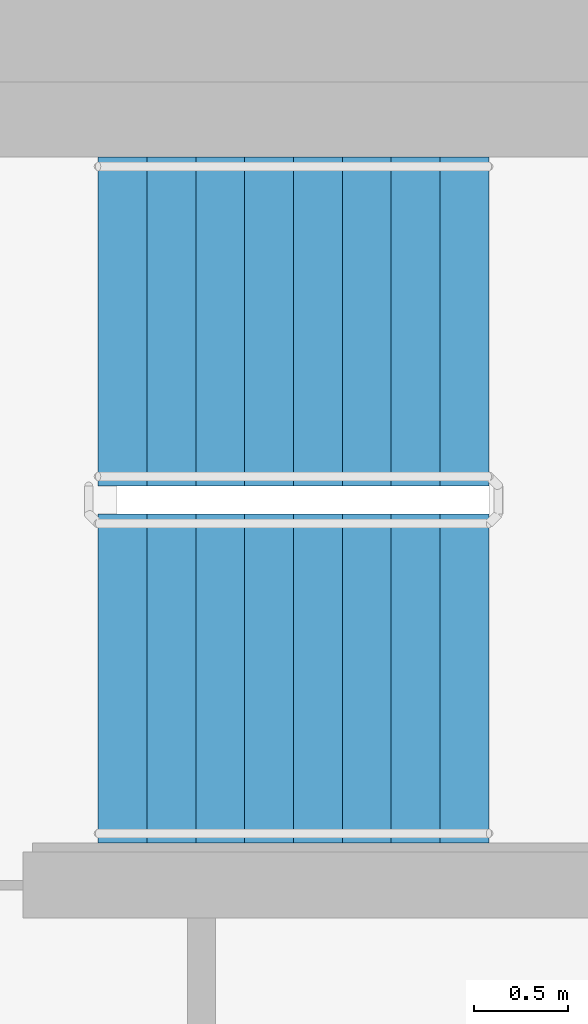
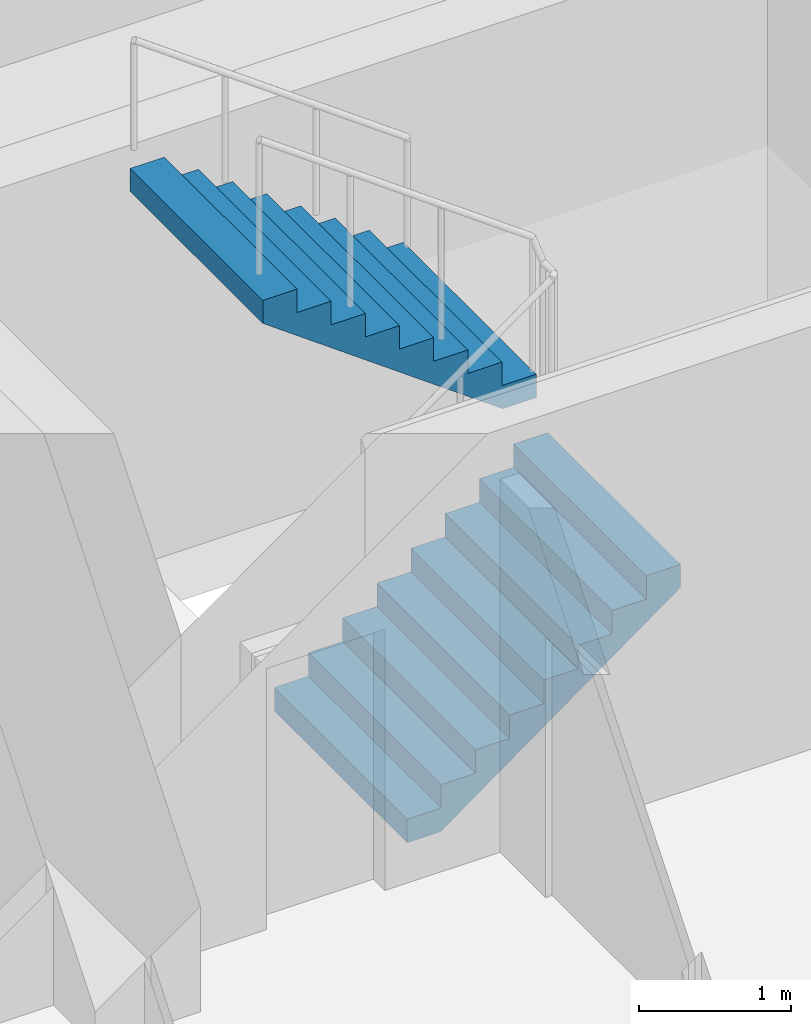
# One storey, part 14 of 19: 2 stair flights, 1 element without a shape of its own.
"""IFC4 building model written with IfcOpenShell, lengths in metres."""

from ifc_helpers import new_model, si_unit, direction, frame, origin, place, context, subcontext, project, spatial, faceted_brep, material, type_object, element, aggregate, save


model = new_model("IFC4")

# Units and contexts
model_context = context("Model", 3, precision=1e-05, world=origin(), true_north=direction((0.0, 1.0)))
body_context = subcontext(model_context, "Body", "Model", "MODEL_VIEW")
ifc_project = project(units=[si_unit("LENGTHUNIT", "METRE"), si_unit("AREAUNIT", "SQUARE_METRE"), si_unit("VOLUMEUNIT", "CUBIC_METRE"), si_unit("PLANEANGLEUNIT", "RADIAN"), si_unit("MASSUNIT", "GRAM", prefix="KILO")], contexts=[model_context])

# Site, building, storey
site_placement = place(None, origin())
site = spatial("IfcSite", under=ifc_project, at=site_placement, CompositionType="ELEMENT")
building_placement = place(site_placement, origin())
building = spatial("IfcBuilding", under=site, at=building_placement, Name="Ipe Terrace Towers", CompositionType="ELEMENT")
storey_placement = place(building_placement, frame((0.0, 0.0, 157.5)))
storey = spatial("IfcBuildingStorey", under=building, at=storey_placement, Name="L43", CompositionType="ELEMENT", Elevation=157.5)

# Stair, stair flights
ifc_material_1 = material(Name="Concrete C30/37", Category="concrete")
stair_type = type_object("IfcStairType", Name="Protected exit stair", PredefinedType="HALF_TURN_STAIR", material=ifc_material_1)
stair_placement = place(storey_placement, origin())
stair = element("IfcStair", 1, at=stair_placement, inside=storey, type_object=stair_type, Name="L43 Exit stair T1-C1", PredefinedType="HALF_TURN_STAIR")
ifc_material_2 = material(Name="Concrete C30/37", Category="concrete")
stair_flight_type = type_object("IfcStairFlightType", Name="Exit stair flight 1750", PredefinedType="STRAIGHT", material=ifc_material_2)
stair_flight_1_placement = place(storey_placement, frame((-26.300048828125, 2.77490234375, 0.0), z_axis=(0.0, 0.0, 1.0), x_axis=(1.0, 0.0, 0.0)))
stair_flight_1 = element("IfcStairFlight", 2, at=stair_flight_1_placement, type_object=stair_flight_type, Name="T1-ST1 flight 1", NumberOfRisers=9, NumberOfTreads=8, PredefinedType="STRAIGHT", RiserHeight=0.188888889, TreadLength=0.26, context=body_context, shape_type="Brep", body=[
    faceted_brep([(0.255126953125, -0.875, 0.0), (2.080078125, -0.875, 1.325927734375), (2.080078125, -0.875, 1.51123046875), (1.820068359375, -0.875, 1.51123046875), (1.820068359375, -0.875, 1.322265625), (1.56005859375, -0.875, 1.322265625), (1.56005859375, -0.875, 1.13330078125), (1.300048828125, -0.875, 1.13330078125), (1.300048828125, -0.875, 0.9443359375), (1.0400390625, -0.875, 0.9443359375), (1.0400390625, -0.875, 0.755615234375), (0.780029296875, -0.875, 0.755615234375), (0.780029296875, -0.875, 0.566650390625), (0.52001953125, -0.875, 0.566650390625), (0.52001953125, -0.875, 0.377685546875), (0.260009765625, -0.875, 0.377685546875), (0.260009765625, -0.875, 0.18896484375), (0.0, -0.875, 0.18896484375), (0.0, -0.875, 0.0), (0.0, 0.875, 0.0), (0.0, 0.875, 0.18896484375), (0.260009765625, 0.875, 0.18896484375), (0.260009765625, 0.875, 0.377685546875), (0.52001953125, 0.875, 0.377685546875), (0.52001953125, 0.875, 0.566650390625), (0.780029296875, 0.875, 0.566650390625), (0.780029296875, 0.875, 0.755615234375), (1.0400390625, 0.875, 0.755615234375), (1.0400390625, 0.875, 0.9443359375), (1.300048828125, 0.875, 0.9443359375), (1.300048828125, 0.875, 1.13330078125), (1.56005859375, 0.875, 1.13330078125), (1.56005859375, 0.875, 1.322265625), (1.820068359375, 0.875, 1.322265625), (1.820068359375, 0.875, 1.51123046875), (2.080078125, 0.875, 1.51123046875), (2.080078125, 0.875, 1.325927734375), (0.255126953125, 0.875, 0.0), (0.0, -0.300048828125, 0.18896484375), (0.0, -0.1201171875, 0.18896484375), (0.0, -0.06005859375, 0.18896484375), (0.0, -0.030029296875, 0.18896484375), (0.0, -0.010009765625, 0.18896484375), (0.0, 0.0, 0.18896484375), (0.0, 0.010009765625, 0.18896484375), (0.0, 0.030029296875, 0.18896484375), (0.0, 0.06005859375, 0.18896484375), (0.0, 0.1201171875, 0.18896484375), (0.0, 0.300048828125, 0.18896484375), (0.0, 0.300048828125, 0.0), (0.0, 0.1201171875, 0.0), (0.0, 0.06005859375, 0.0), (0.0, 0.030029296875, 0.0), (0.0, 0.010009765625, 0.0), (0.0, 0.0, 0.0), (0.0, -0.010009765625, 0.0), (0.0, -0.030029296875, 0.0), (0.0, -0.06005859375, 0.0), (0.0, -0.1201171875, 0.0), (0.0, -0.300048828125, 0.0), (0.260009765625, -0.300048828125, 0.18896484375), (0.260009765625, -0.1201171875, 0.18896484375), (0.260009765625, -0.06005859375, 0.18896484375), (0.260009765625, -0.030029296875, 0.18896484375), (0.260009765625, -0.010009765625, 0.18896484375), (0.260009765625, 0.0, 0.18896484375), (0.260009765625, 0.010009765625, 0.18896484375), (0.260009765625, 0.030029296875, 0.18896484375), (0.260009765625, 0.06005859375, 0.18896484375), (0.260009765625, 0.1201171875, 0.18896484375), (0.260009765625, 0.300048828125, 0.18896484375), (0.260009765625, -0.300048828125, 0.377685546875), (0.260009765625, -0.1201171875, 0.377685546875), (0.260009765625, -0.06005859375, 0.377685546875), (0.260009765625, -0.030029296875, 0.377685546875), (0.260009765625, -0.010009765625, 0.377685546875), (0.260009765625, 0.0, 0.377685546875), (0.260009765625, 0.010009765625, 0.377685546875), (0.260009765625, 0.030029296875, 0.377685546875), (0.260009765625, 0.06005859375, 0.377685546875), (0.260009765625, 0.1201171875, 0.377685546875), (0.260009765625, 0.300048828125, 0.377685546875), (0.52001953125, -0.300048828125, 0.377685546875), (0.52001953125, -0.1201171875, 0.377685546875), (0.52001953125, -0.06005859375, 0.377685546875), (0.52001953125, -0.030029296875, 0.377685546875), (0.52001953125, -0.010009765625, 0.377685546875), (0.52001953125, 0.0, 0.377685546875), (0.52001953125, 0.010009765625, 0.377685546875), (0.52001953125, 0.030029296875, 0.377685546875), (0.52001953125, 0.06005859375, 0.377685546875), (0.52001953125, 0.1201171875, 0.377685546875), (0.52001953125, 0.300048828125, 0.377685546875), (0.52001953125, -0.300048828125, 0.566650390625), (0.52001953125, -0.1201171875, 0.566650390625), (0.52001953125, -0.06005859375, 0.566650390625), (0.52001953125, -0.030029296875, 0.566650390625), (0.52001953125, -0.010009765625, 0.566650390625), (0.52001953125, 0.0, 0.566650390625), (0.52001953125, 0.010009765625, 0.566650390625), (0.52001953125, 0.030029296875, 0.566650390625), (0.52001953125, 0.06005859375, 0.566650390625), (0.52001953125, 0.1201171875, 0.566650390625), (0.52001953125, 0.300048828125, 0.566650390625), (0.780029296875, -0.300048828125, 0.566650390625), (0.780029296875, -0.1201171875, 0.566650390625), (0.780029296875, -0.06005859375, 0.566650390625), (0.780029296875, -0.030029296875, 0.566650390625), (0.780029296875, -0.010009765625, 0.566650390625), (0.780029296875, 0.0, 0.566650390625), (0.780029296875, 0.010009765625, 0.566650390625), (0.780029296875, 0.030029296875, 0.566650390625), (0.780029296875, 0.06005859375, 0.566650390625), (0.780029296875, 0.1201171875, 0.566650390625), (0.780029296875, 0.300048828125, 0.566650390625), (0.780029296875, -0.300048828125, 0.755615234375), (0.780029296875, -0.1201171875, 0.755615234375), (0.780029296875, -0.06005859375, 0.755615234375), (0.780029296875, -0.030029296875, 0.755615234375), (0.780029296875, -0.010009765625, 0.755615234375), (0.780029296875, 0.0, 0.755615234375), (0.780029296875, 0.010009765625, 0.755615234375), (0.780029296875, 0.030029296875, 0.755615234375), (0.780029296875, 0.06005859375, 0.755615234375), (0.780029296875, 0.1201171875, 0.755615234375), (0.780029296875, 0.300048828125, 0.755615234375), (1.0400390625, -0.300048828125, 0.755615234375), (1.0400390625, -0.1201171875, 0.755615234375), (1.0400390625, -0.06005859375, 0.755615234375), (1.0400390625, -0.030029296875, 0.755615234375), (1.0400390625, -0.010009765625, 0.755615234375), (1.0400390625, 0.0, 0.755615234375), (1.0400390625, 0.010009765625, 0.755615234375), (1.0400390625, 0.030029296875, 0.755615234375), (1.0400390625, 0.06005859375, 0.755615234375), (1.0400390625, 0.1201171875, 0.755615234375), (1.0400390625, 0.300048828125, 0.755615234375), (1.0400390625, -0.300048828125, 0.9443359375), (1.0400390625, -0.1201171875, 0.9443359375), (1.0400390625, -0.06005859375, 0.9443359375), (1.0400390625, -0.030029296875, 0.9443359375), (1.0400390625, -0.010009765625, 0.9443359375), (1.0400390625, 0.0, 0.9443359375), (1.0400390625, 0.010009765625, 0.9443359375), (1.0400390625, 0.030029296875, 0.9443359375), (1.0400390625, 0.06005859375, 0.9443359375), (1.0400390625, 0.1201171875, 0.9443359375), (1.0400390625, 0.300048828125, 0.9443359375), (1.300048828125, -0.300048828125, 0.9443359375), (1.300048828125, -0.1201171875, 0.9443359375), (1.300048828125, -0.06005859375, 0.9443359375), (1.300048828125, -0.030029296875, 0.9443359375), (1.300048828125, -0.010009765625, 0.9443359375), (1.300048828125, 0.0, 0.9443359375), (1.300048828125, 0.010009765625, 0.9443359375), (1.300048828125, 0.030029296875, 0.9443359375), (1.300048828125, 0.06005859375, 0.9443359375), (1.300048828125, 0.1201171875, 0.9443359375), (1.300048828125, 0.300048828125, 0.9443359375), (1.300048828125, -0.300048828125, 1.13330078125), (1.300048828125, -0.1201171875, 1.13330078125), (1.300048828125, -0.06005859375, 1.13330078125), (1.300048828125, -0.030029296875, 1.13330078125), (1.300048828125, -0.010009765625, 1.13330078125), (1.300048828125, 0.0, 1.13330078125), (1.300048828125, 0.010009765625, 1.13330078125), (1.300048828125, 0.030029296875, 1.13330078125), (1.300048828125, 0.06005859375, 1.13330078125), (1.300048828125, 0.1201171875, 1.13330078125), (1.300048828125, 0.300048828125, 1.13330078125), (1.56005859375, -0.300048828125, 1.13330078125), (1.56005859375, -0.1201171875, 1.13330078125), (1.56005859375, -0.06005859375, 1.13330078125), (1.56005859375, -0.030029296875, 1.13330078125), (1.56005859375, -0.010009765625, 1.13330078125), (1.56005859375, 0.0, 1.13330078125), (1.56005859375, 0.010009765625, 1.13330078125), (1.56005859375, 0.030029296875, 1.13330078125), (1.56005859375, 0.06005859375, 1.13330078125), (1.56005859375, 0.1201171875, 1.13330078125), (1.56005859375, 0.300048828125, 1.13330078125), (1.56005859375, -0.300048828125, 1.322265625), (1.56005859375, -0.1201171875, 1.322265625), (1.56005859375, -0.06005859375, 1.322265625), (1.56005859375, -0.030029296875, 1.322265625), (1.56005859375, -0.010009765625, 1.322265625), (1.56005859375, 0.0, 1.322265625), (1.56005859375, 0.010009765625, 1.322265625), (1.56005859375, 0.030029296875, 1.322265625), (1.56005859375, 0.06005859375, 1.322265625), (1.56005859375, 0.1201171875, 1.322265625), (1.56005859375, 0.300048828125, 1.322265625), (1.820068359375, -0.300048828125, 1.322265625), (1.820068359375, -0.1201171875, 1.322265625), (1.820068359375, -0.06005859375, 1.322265625), (1.820068359375, -0.030029296875, 1.322265625), (1.820068359375, -0.010009765625, 1.322265625), (1.820068359375, 0.0, 1.322265625), (1.820068359375, 0.010009765625, 1.322265625), (1.820068359375, 0.030029296875, 1.322265625), (1.820068359375, 0.06005859375, 1.322265625), (1.820068359375, 0.1201171875, 1.322265625), (1.820068359375, 0.300048828125, 1.322265625), (1.820068359375, -0.300048828125, 1.51123046875), (1.820068359375, -0.1201171875, 1.51123046875), (1.820068359375, -0.06005859375, 1.51123046875), (1.820068359375, -0.030029296875, 1.51123046875), (1.820068359375, -0.010009765625, 1.51123046875), (1.820068359375, 0.0, 1.51123046875), (1.820068359375, 0.010009765625, 1.51123046875), (1.820068359375, 0.030029296875, 1.51123046875), (1.820068359375, 0.06005859375, 1.51123046875), (1.820068359375, 0.1201171875, 1.51123046875), (1.820068359375, 0.300048828125, 1.51123046875), (2.080078125, -0.300048828125, 1.51123046875), (2.080078125, -0.1201171875, 1.51123046875), (2.080078125, -0.06005859375, 1.51123046875), (2.080078125, -0.030029296875, 1.51123046875), (2.080078125, -0.010009765625, 1.51123046875), (2.080078125, 0.0, 1.51123046875), (2.080078125, 0.010009765625, 1.51123046875), (2.080078125, 0.030029296875, 1.51123046875), (2.080078125, 0.06005859375, 1.51123046875), (2.080078125, 0.1201171875, 1.51123046875), (2.080078125, 0.300048828125, 1.51123046875), (2.080078125, -0.300048828125, 1.325927734375), (2.080078125, -0.1201171875, 1.325927734375), (2.080078125, -0.06005859375, 1.325927734375), (2.080078125, -0.030029296875, 1.325927734375), (2.080078125, -0.010009765625, 1.325927734375), (2.080078125, 0.0, 1.325927734375), (2.080078125, 0.010009765625, 1.325927734375), (2.080078125, 0.030029296875, 1.325927734375), (2.080078125, 0.06005859375, 1.325927734375), (2.080078125, 0.1201171875, 1.325927734375), (2.080078125, 0.300048828125, 1.325927734375), (0.255126953125, -0.300048828125, 0.0), (0.255126953125, -0.1201171875, 0.0), (0.255126953125, -0.06005859375, 0.0), (0.255126953125, -0.030029296875, 0.0), (0.255126953125, -0.010009765625, 0.0), (0.255126953125, 0.0, 0.0), (0.255126953125, 0.010009765625, 0.0), (0.255126953125, 0.030029296875, 0.0), (0.255126953125, 0.06005859375, 0.0), (0.255126953125, 0.1201171875, 0.0), (0.255126953125, 0.300048828125, 0.0)], [[[0, 1, 2, 3, 4, 5, 6, 7, 8, 9, 10, 11, 12, 13, 14, 15, 16, 17, 18]], [[19, 20, 21, 22, 23, 24, 25, 26, 27, 28, 29, 30, 31, 32, 33, 34, 35, 36, 37]], [[17, 38, 39, 40, 41, 42, 43, 44, 45, 46, 47, 48, 20, 19, 49, 50, 51, 52, 53, 54, 55, 56, 57, 58, 59, 18]], [[16, 60, 61, 62, 63, 64, 65, 66, 67, 68, 69, 70, 21, 20, 48, 47, 46, 45, 44, 43, 42, 41, 40, 39, 38, 17]], [[15, 71, 72, 73, 74, 75, 76, 77, 78, 79, 80, 81, 22, 21, 70, 69, 68, 67, 66, 65, 64, 63, 62, 61, 60, 16]], [[14, 82, 83, 84, 85, 86, 87, 88, 89, 90, 91, 92, 23, 22, 81, 80, 79, 78, 77, 76, 75, 74, 73, 72, 71, 15]], [[13, 93, 94, 95, 96, 97, 98, 99, 100, 101, 102, 103, 24, 23, 92, 91, 90, 89, 88, 87, 86, 85, 84, 83, 82, 14]], [[12, 104, 105, 106, 107, 108, 109, 110, 111, 112, 113, 114, 25, 24, 103, 102, 101, 100, 99, 98, 97, 96, 95, 94, 93, 13]], [[11, 115, 116, 117, 118, 119, 120, 121, 122, 123, 124, 125, 26, 25, 114, 113, 112, 111, 110, 109, 108, 107, 106, 105, 104, 12]], [[10, 126, 127, 128, 129, 130, 131, 132, 133, 134, 135, 136, 27, 26, 125, 124, 123, 122, 121, 120, 119, 118, 117, 116, 115, 11]], [[9, 137, 138, 139, 140, 141, 142, 143, 144, 145, 146, 147, 28, 27, 136, 135, 134, 133, 132, 131, 130, 129, 128, 127, 126, 10]], [[8, 148, 149, 150, 151, 152, 153, 154, 155, 156, 157, 158, 29, 28, 147, 146, 145, 144, 143, 142, 141, 140, 139, 138, 137, 9]], [[7, 159, 160, 161, 162, 163, 164, 165, 166, 167, 168, 169, 30, 29, 158, 157, 156, 155, 154, 153, 152, 151, 150, 149, 148, 8]], [[6, 170, 171, 172, 173, 174, 175, 176, 177, 178, 179, 180, 31, 30, 169, 168, 167, 166, 165, 164, 163, 162, 161, 160, 159, 7]], [[5, 181, 182, 183, 184, 185, 186, 187, 188, 189, 190, 191, 32, 31, 180, 179, 178, 177, 176, 175, 174, 173, 172, 171, 170, 6]], [[4, 192, 193, 194, 195, 196, 197, 198, 199, 200, 201, 202, 33, 32, 191, 190, 189, 188, 187, 186, 185, 184, 183, 182, 181, 5]], [[3, 203, 204, 205, 206, 207, 208, 209, 210, 211, 212, 213, 34, 33, 202, 201, 200, 199, 198, 197, 196, 195, 194, 193, 192, 4]], [[2, 214, 215, 216, 217, 218, 219, 220, 221, 222, 223, 224, 35, 34, 213, 212, 211, 210, 209, 208, 207, 206, 205, 204, 203, 3]], [[1, 225, 226, 227, 228, 229, 230, 231, 232, 233, 234, 235, 36, 35, 224, 223, 222, 221, 220, 219, 218, 217, 216, 215, 214, 2]], [[0, 236, 237, 238, 239, 240, 241, 242, 243, 244, 245, 246, 37, 36, 235, 234, 233, 232, 231, 230, 229, 228, 227, 226, 225, 1]], [[18, 59, 58, 57, 56, 55, 54, 53, 52, 51, 50, 49, 19, 37, 246, 245, 244, 243, 242, 241, 240, 239, 238, 237, 236, 0]]]),
])
stair_flight_2_placement = place(storey_placement, frame((-24.219970703125, 4.675048828125, 1.699951171875), z_axis=(0.0, 0.0, 1.0), x_axis=(-1.0, 0.0, 0.0)))
stair_flight_2 = element("IfcStairFlight", 3, at=stair_flight_2_placement, type_object=stair_flight_type, Name="T1-ST1 flight 2", NumberOfRisers=9, NumberOfTreads=8, PredefinedType="STRAIGHT", RiserHeight=0.188888889, TreadLength=0.26, context=body_context, shape_type="Brep", body=[
    faceted_brep([(0.255126953125, -0.875, 0.0), (2.080078125, -0.875, 1.325927734375), (2.080078125, -0.875, 1.51123046875), (1.820068359375, -0.875, 1.51123046875), (1.820068359375, -0.875, 1.322265625), (1.56005859375, -0.875, 1.322265625), (1.56005859375, -0.875, 1.13330078125), (1.300048828125, -0.875, 1.13330078125), (1.300048828125, -0.875, 0.9443359375), (1.0400390625, -0.875, 0.9443359375), (1.0400390625, -0.875, 0.755615234375), (0.780029296875, -0.875, 0.755615234375), (0.780029296875, -0.875, 0.566650390625), (0.52001953125, -0.875, 0.566650390625), (0.52001953125, -0.875, 0.377685546875), (0.260009765625, -0.875, 0.377685546875), (0.260009765625, -0.875, 0.18896484375), (0.0, -0.875, 0.18896484375), (0.0, -0.875, 0.0), (0.0, 0.875, 0.0), (0.0, 0.875, 0.18896484375), (0.260009765625, 0.875, 0.18896484375), (0.260009765625, 0.875, 0.377685546875), (0.52001953125, 0.875, 0.377685546875), (0.52001953125, 0.875, 0.566650390625), (0.780029296875, 0.875, 0.566650390625), (0.780029296875, 0.875, 0.755615234375), (1.0400390625, 0.875, 0.755615234375), (1.0400390625, 0.875, 0.9443359375), (1.300048828125, 0.875, 0.9443359375), (1.300048828125, 0.875, 1.13330078125), (1.56005859375, 0.875, 1.13330078125), (1.56005859375, 0.875, 1.322265625), (1.820068359375, 0.875, 1.322265625), (1.820068359375, 0.875, 1.51123046875), (2.080078125, 0.875, 1.51123046875), (2.080078125, 0.875, 1.325927734375), (0.255126953125, 0.875, 0.0), (0.0, -0.300048828125, 0.18896484375), (0.0, -0.1201171875, 0.18896484375), (0.0, -0.06005859375, 0.18896484375), (0.0, -0.030029296875, 0.18896484375), (0.0, -0.010009765625, 0.18896484375), (0.0, 0.0, 0.18896484375), (0.0, 0.010009765625, 0.18896484375), (0.0, 0.030029296875, 0.18896484375), (0.0, 0.06005859375, 0.18896484375), (0.0, 0.1201171875, 0.18896484375), (0.0, 0.300048828125, 0.18896484375), (0.0, 0.300048828125, 0.0), (0.0, 0.1201171875, 0.0), (0.0, 0.06005859375, 0.0), (0.0, 0.030029296875, 0.0), (0.0, 0.010009765625, 0.0), (0.0, 0.0, 0.0), (0.0, -0.010009765625, 0.0), (0.0, -0.030029296875, 0.0), (0.0, -0.06005859375, 0.0), (0.0, -0.1201171875, 0.0), (0.0, -0.300048828125, 0.0), (0.260009765625, -0.300048828125, 0.18896484375), (0.260009765625, -0.1201171875, 0.18896484375), (0.260009765625, -0.06005859375, 0.18896484375), (0.260009765625, -0.030029296875, 0.18896484375), (0.260009765625, -0.010009765625, 0.18896484375), (0.260009765625, 0.0, 0.18896484375), (0.260009765625, 0.010009765625, 0.18896484375), (0.260009765625, 0.030029296875, 0.18896484375), (0.260009765625, 0.06005859375, 0.18896484375), (0.260009765625, 0.1201171875, 0.18896484375), (0.260009765625, 0.300048828125, 0.18896484375), (0.260009765625, -0.300048828125, 0.377685546875), (0.260009765625, -0.1201171875, 0.377685546875), (0.260009765625, -0.06005859375, 0.377685546875), (0.260009765625, -0.030029296875, 0.377685546875), (0.260009765625, -0.010009765625, 0.377685546875), (0.260009765625, 0.0, 0.377685546875), (0.260009765625, 0.010009765625, 0.377685546875), (0.260009765625, 0.030029296875, 0.377685546875), (0.260009765625, 0.06005859375, 0.377685546875), (0.260009765625, 0.1201171875, 0.377685546875), (0.260009765625, 0.300048828125, 0.377685546875), (0.52001953125, -0.300048828125, 0.377685546875), (0.52001953125, -0.1201171875, 0.377685546875), (0.52001953125, -0.06005859375, 0.377685546875), (0.52001953125, -0.030029296875, 0.377685546875), (0.52001953125, -0.010009765625, 0.377685546875), (0.52001953125, 0.0, 0.377685546875), (0.52001953125, 0.010009765625, 0.377685546875), (0.52001953125, 0.030029296875, 0.377685546875), (0.52001953125, 0.06005859375, 0.377685546875), (0.52001953125, 0.1201171875, 0.377685546875), (0.52001953125, 0.300048828125, 0.377685546875), (0.52001953125, -0.300048828125, 0.566650390625), (0.52001953125, -0.1201171875, 0.566650390625), (0.52001953125, -0.06005859375, 0.566650390625), (0.52001953125, -0.030029296875, 0.566650390625), (0.52001953125, -0.010009765625, 0.566650390625), (0.52001953125, 0.0, 0.566650390625), (0.52001953125, 0.010009765625, 0.566650390625), (0.52001953125, 0.030029296875, 0.566650390625), (0.52001953125, 0.06005859375, 0.566650390625), (0.52001953125, 0.1201171875, 0.566650390625), (0.52001953125, 0.300048828125, 0.566650390625), (0.780029296875, -0.300048828125, 0.566650390625), (0.780029296875, -0.1201171875, 0.566650390625), (0.780029296875, -0.06005859375, 0.566650390625), (0.780029296875, -0.030029296875, 0.566650390625), (0.780029296875, -0.010009765625, 0.566650390625), (0.780029296875, 0.0, 0.566650390625), (0.780029296875, 0.010009765625, 0.566650390625), (0.780029296875, 0.030029296875, 0.566650390625), (0.780029296875, 0.06005859375, 0.566650390625), (0.780029296875, 0.1201171875, 0.566650390625), (0.780029296875, 0.300048828125, 0.566650390625), (0.780029296875, -0.300048828125, 0.755615234375), (0.780029296875, -0.1201171875, 0.755615234375), (0.780029296875, -0.06005859375, 0.755615234375), (0.780029296875, -0.030029296875, 0.755615234375), (0.780029296875, -0.010009765625, 0.755615234375), (0.780029296875, 0.0, 0.755615234375), (0.780029296875, 0.010009765625, 0.755615234375), (0.780029296875, 0.030029296875, 0.755615234375), (0.780029296875, 0.06005859375, 0.755615234375), (0.780029296875, 0.1201171875, 0.755615234375), (0.780029296875, 0.300048828125, 0.755615234375), (1.0400390625, -0.300048828125, 0.755615234375), (1.0400390625, -0.1201171875, 0.755615234375), (1.0400390625, -0.06005859375, 0.755615234375), (1.0400390625, -0.030029296875, 0.755615234375), (1.0400390625, -0.010009765625, 0.755615234375), (1.0400390625, 0.0, 0.755615234375), (1.0400390625, 0.010009765625, 0.755615234375), (1.0400390625, 0.030029296875, 0.755615234375), (1.0400390625, 0.06005859375, 0.755615234375), (1.0400390625, 0.1201171875, 0.755615234375), (1.0400390625, 0.300048828125, 0.755615234375), (1.0400390625, -0.300048828125, 0.9443359375), (1.0400390625, -0.1201171875, 0.9443359375), (1.0400390625, -0.06005859375, 0.9443359375), (1.0400390625, -0.030029296875, 0.9443359375), (1.0400390625, -0.010009765625, 0.9443359375), (1.0400390625, 0.0, 0.9443359375), (1.0400390625, 0.010009765625, 0.9443359375), (1.0400390625, 0.030029296875, 0.9443359375), (1.0400390625, 0.06005859375, 0.9443359375), (1.0400390625, 0.1201171875, 0.9443359375), (1.0400390625, 0.300048828125, 0.9443359375), (1.300048828125, -0.300048828125, 0.9443359375), (1.300048828125, -0.1201171875, 0.9443359375), (1.300048828125, -0.06005859375, 0.9443359375), (1.300048828125, -0.030029296875, 0.9443359375), (1.300048828125, -0.010009765625, 0.9443359375), (1.300048828125, 0.0, 0.9443359375), (1.300048828125, 0.010009765625, 0.9443359375), (1.300048828125, 0.030029296875, 0.9443359375), (1.300048828125, 0.06005859375, 0.9443359375), (1.300048828125, 0.1201171875, 0.9443359375), (1.300048828125, 0.300048828125, 0.9443359375), (1.300048828125, -0.300048828125, 1.13330078125), (1.300048828125, -0.1201171875, 1.13330078125), (1.300048828125, -0.06005859375, 1.13330078125), (1.300048828125, -0.030029296875, 1.13330078125), (1.300048828125, -0.010009765625, 1.13330078125), (1.300048828125, 0.0, 1.13330078125), (1.300048828125, 0.010009765625, 1.13330078125), (1.300048828125, 0.030029296875, 1.13330078125), (1.300048828125, 0.06005859375, 1.13330078125), (1.300048828125, 0.1201171875, 1.13330078125), (1.300048828125, 0.300048828125, 1.13330078125), (1.56005859375, -0.300048828125, 1.13330078125), (1.56005859375, -0.1201171875, 1.13330078125), (1.56005859375, -0.06005859375, 1.13330078125), (1.56005859375, -0.030029296875, 1.13330078125), (1.56005859375, -0.010009765625, 1.13330078125), (1.56005859375, 0.0, 1.13330078125), (1.56005859375, 0.010009765625, 1.13330078125), (1.56005859375, 0.030029296875, 1.13330078125), (1.56005859375, 0.06005859375, 1.13330078125), (1.56005859375, 0.1201171875, 1.13330078125), (1.56005859375, 0.300048828125, 1.13330078125), (1.56005859375, -0.300048828125, 1.322265625), (1.56005859375, -0.1201171875, 1.322265625), (1.56005859375, -0.06005859375, 1.322265625), (1.56005859375, -0.030029296875, 1.322265625), (1.56005859375, -0.010009765625, 1.322265625), (1.56005859375, 0.0, 1.322265625), (1.56005859375, 0.010009765625, 1.322265625), (1.56005859375, 0.030029296875, 1.322265625), (1.56005859375, 0.06005859375, 1.322265625), (1.56005859375, 0.1201171875, 1.322265625), (1.56005859375, 0.300048828125, 1.322265625), (1.820068359375, -0.300048828125, 1.322265625), (1.820068359375, -0.1201171875, 1.322265625), (1.820068359375, -0.06005859375, 1.322265625), (1.820068359375, -0.030029296875, 1.322265625), (1.820068359375, -0.010009765625, 1.322265625), (1.820068359375, 0.0, 1.322265625), (1.820068359375, 0.010009765625, 1.322265625), (1.820068359375, 0.030029296875, 1.322265625), (1.820068359375, 0.06005859375, 1.322265625), (1.820068359375, 0.1201171875, 1.322265625), (1.820068359375, 0.300048828125, 1.322265625), (1.820068359375, -0.300048828125, 1.51123046875), (1.820068359375, -0.1201171875, 1.51123046875), (1.820068359375, -0.06005859375, 1.51123046875), (1.820068359375, -0.030029296875, 1.51123046875), (1.820068359375, -0.010009765625, 1.51123046875), (1.820068359375, 0.0, 1.51123046875), (1.820068359375, 0.010009765625, 1.51123046875), (1.820068359375, 0.030029296875, 1.51123046875), (1.820068359375, 0.06005859375, 1.51123046875), (1.820068359375, 0.1201171875, 1.51123046875), (1.820068359375, 0.300048828125, 1.51123046875), (2.080078125, -0.300048828125, 1.51123046875), (2.080078125, -0.1201171875, 1.51123046875), (2.080078125, -0.06005859375, 1.51123046875), (2.080078125, -0.030029296875, 1.51123046875), (2.080078125, -0.010009765625, 1.51123046875), (2.080078125, 0.0, 1.51123046875), (2.080078125, 0.010009765625, 1.51123046875), (2.080078125, 0.030029296875, 1.51123046875), (2.080078125, 0.06005859375, 1.51123046875), (2.080078125, 0.1201171875, 1.51123046875), (2.080078125, 0.300048828125, 1.51123046875), (2.080078125, -0.300048828125, 1.325927734375), (2.080078125, -0.1201171875, 1.325927734375), (2.080078125, -0.06005859375, 1.325927734375), (2.080078125, -0.030029296875, 1.325927734375), (2.080078125, -0.010009765625, 1.325927734375), (2.080078125, 0.0, 1.325927734375), (2.080078125, 0.010009765625, 1.325927734375), (2.080078125, 0.030029296875, 1.325927734375), (2.080078125, 0.06005859375, 1.325927734375), (2.080078125, 0.1201171875, 1.325927734375), (2.080078125, 0.300048828125, 1.325927734375), (0.255126953125, -0.300048828125, 0.0), (0.255126953125, -0.1201171875, 0.0), (0.255126953125, -0.06005859375, 0.0), (0.255126953125, -0.030029296875, 0.0), (0.255126953125, -0.010009765625, 0.0), (0.255126953125, 0.0, 0.0), (0.255126953125, 0.010009765625, 0.0), (0.255126953125, 0.030029296875, 0.0), (0.255126953125, 0.06005859375, 0.0), (0.255126953125, 0.1201171875, 0.0), (0.255126953125, 0.300048828125, 0.0)], [[[0, 1, 2, 3, 4, 5, 6, 7, 8, 9, 10, 11, 12, 13, 14, 15, 16, 17, 18]], [[19, 20, 21, 22, 23, 24, 25, 26, 27, 28, 29, 30, 31, 32, 33, 34, 35, 36, 37]], [[17, 38, 39, 40, 41, 42, 43, 44, 45, 46, 47, 48, 20, 19, 49, 50, 51, 52, 53, 54, 55, 56, 57, 58, 59, 18]], [[16, 60, 61, 62, 63, 64, 65, 66, 67, 68, 69, 70, 21, 20, 48, 47, 46, 45, 44, 43, 42, 41, 40, 39, 38, 17]], [[15, 71, 72, 73, 74, 75, 76, 77, 78, 79, 80, 81, 22, 21, 70, 69, 68, 67, 66, 65, 64, 63, 62, 61, 60, 16]], [[14, 82, 83, 84, 85, 86, 87, 88, 89, 90, 91, 92, 23, 22, 81, 80, 79, 78, 77, 76, 75, 74, 73, 72, 71, 15]], [[13, 93, 94, 95, 96, 97, 98, 99, 100, 101, 102, 103, 24, 23, 92, 91, 90, 89, 88, 87, 86, 85, 84, 83, 82, 14]], [[12, 104, 105, 106, 107, 108, 109, 110, 111, 112, 113, 114, 25, 24, 103, 102, 101, 100, 99, 98, 97, 96, 95, 94, 93, 13]], [[11, 115, 116, 117, 118, 119, 120, 121, 122, 123, 124, 125, 26, 25, 114, 113, 112, 111, 110, 109, 108, 107, 106, 105, 104, 12]], [[10, 126, 127, 128, 129, 130, 131, 132, 133, 134, 135, 136, 27, 26, 125, 124, 123, 122, 121, 120, 119, 118, 117, 116, 115, 11]], [[9, 137, 138, 139, 140, 141, 142, 143, 144, 145, 146, 147, 28, 27, 136, 135, 134, 133, 132, 131, 130, 129, 128, 127, 126, 10]], [[8, 148, 149, 150, 151, 152, 153, 154, 155, 156, 157, 158, 29, 28, 147, 146, 145, 144, 143, 142, 141, 140, 139, 138, 137, 9]], [[7, 159, 160, 161, 162, 163, 164, 165, 166, 167, 168, 169, 30, 29, 158, 157, 156, 155, 154, 153, 152, 151, 150, 149, 148, 8]], [[6, 170, 171, 172, 173, 174, 175, 176, 177, 178, 179, 180, 31, 30, 169, 168, 167, 166, 165, 164, 163, 162, 161, 160, 159, 7]], [[5, 181, 182, 183, 184, 185, 186, 187, 188, 189, 190, 191, 32, 31, 180, 179, 178, 177, 176, 175, 174, 173, 172, 171, 170, 6]], [[4, 192, 193, 194, 195, 196, 197, 198, 199, 200, 201, 202, 33, 32, 191, 190, 189, 188, 187, 186, 185, 184, 183, 182, 181, 5]], [[3, 203, 204, 205, 206, 207, 208, 209, 210, 211, 212, 213, 34, 33, 202, 201, 200, 199, 198, 197, 196, 195, 194, 193, 192, 4]], [[2, 214, 215, 216, 217, 218, 219, 220, 221, 222, 223, 224, 35, 34, 213, 212, 211, 210, 209, 208, 207, 206, 205, 204, 203, 3]], [[1, 225, 226, 227, 228, 229, 230, 231, 232, 233, 234, 235, 36, 35, 224, 223, 222, 221, 220, 219, 218, 217, 216, 215, 214, 2]], [[0, 236, 237, 238, 239, 240, 241, 242, 243, 244, 245, 246, 37, 36, 235, 234, 233, 232, 231, 230, 229, 228, 227, 226, 225, 1]], [[18, 59, 58, 57, 56, 55, 54, 53, 52, 51, 50, 49, 19, 37, 246, 245, 244, 243, 242, 241, 240, 239, 238, 237, 236, 0]]]),
])
aggregate(stair, [stair_flight_1, stair_flight_2])

save(model, "model.ifc")
